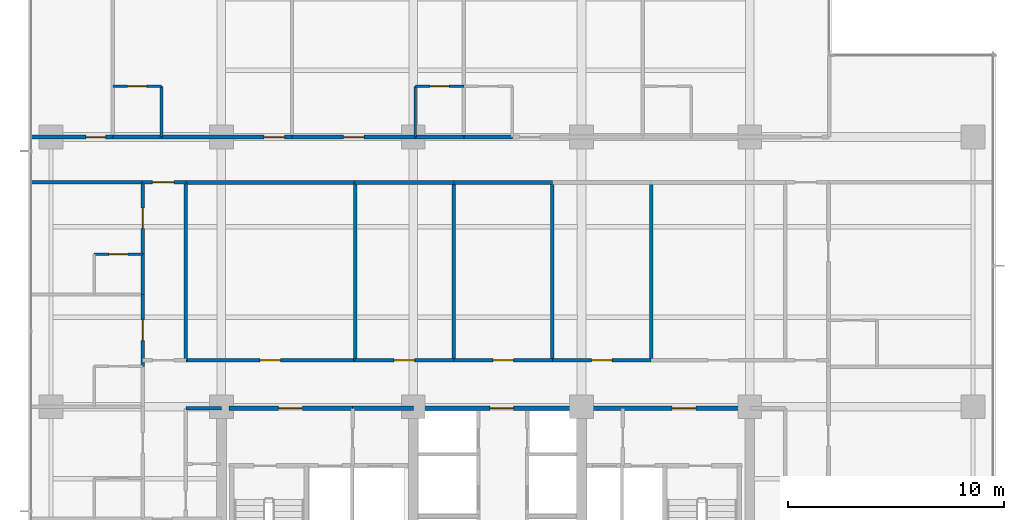
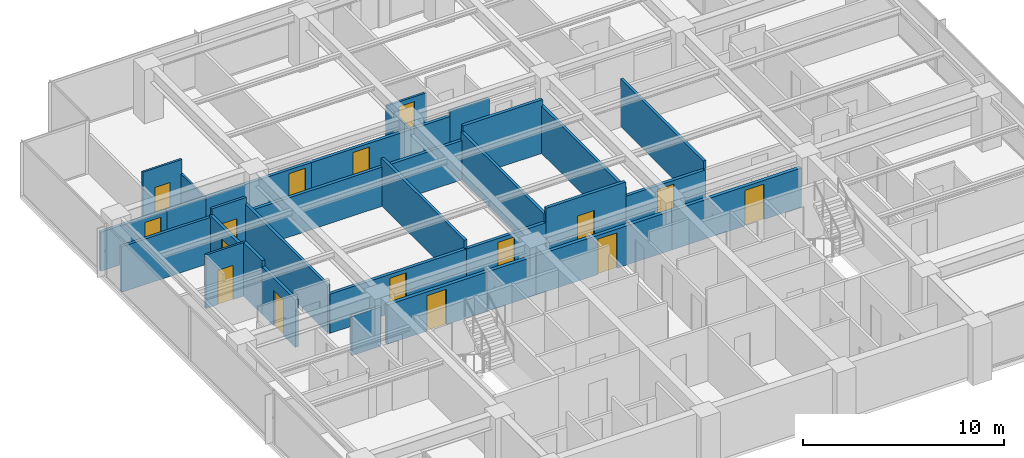
# One storey, part 9 of 16: 33 walls, 16 doors, 16 openings.
"""IFC4 building model written with IfcOpenShell, lengths in metres."""

from ifc_helpers import new_model, si_unit, direction, frame, frame_2d, origin, place, context, subcontext, project, spatial, rectangle, extrude, material, layer, layer_set, type_object, element, fill, save


model = new_model("IFC4")

# Units and contexts
model_context = context("Model", 3, precision=1e-05, world=origin(), true_north=direction((0.0, 1.0)))
body_context = subcontext(model_context, "Body", "Model", "MODEL_VIEW")
ifc_project = project(units=[si_unit("LENGTHUNIT", "METRE"), si_unit("AREAUNIT", "SQUARE_METRE"), si_unit("VOLUMEUNIT", "CUBIC_METRE"), si_unit("PLANEANGLEUNIT", "RADIAN"), si_unit("MASSUNIT", "GRAM", prefix="KILO")], contexts=[model_context])

# Site, building, storey
site_placement = place(None, origin())
site = spatial("IfcSite", under=ifc_project, at=site_placement, CompositionType="ELEMENT")
building_placement = place(site_placement, origin())
building = spatial("IfcBuilding", under=site, at=building_placement, Name="Qalmaran Belvedere Hotel", CompositionType="ELEMENT")
storey_placement = place(building_placement, frame((0.0, 0.0, 145.60009765625)))
storey = spatial("IfcBuildingStorey", under=building, at=storey_placement, Name="L36", CompositionType="ELEMENT", Elevation=145.60009765625)

# Wall, opening, door
ifc_material_1 = material(Name="Moisture-Resistant Gypsum")
ifc_layer_1 = layer(ifc_material_1, 0.1201171875, Name="Moisture-Resistant Gypsum")
ifc_layer_set_1 = layer_set([ifc_layer_1], Name="Moisture-Resistant Gypsum")
wall_type_1 = type_object("IfcWallType", Name="WL-INT-120-BATH", PredefinedType="PARTITIONING", material=ifc_layer_set_1)
wall_1_placement = place(storey_placement, frame((15.27001953125, 35.35009765625, 0.0), z_axis=(0.0, 0.0, 1.0), x_axis=(1.0, 0.0, 0.0)))
wall_1 = element("IfcWall", 1, at=wall_1_placement, inside=storey, type_object=wall_type_1, Name="L36 Partition WL-L36-NBN00", PredefinedType="PARTITIONING", context=body_context, shape_type="SweptSolid", body=[
    extrude(rectangle(XDim=2.25, YDim=0.1201171875, at=frame_2d((1.125, 0.0))), origin(), (0.0, 0.0, 1.0), 3.25),
])
opening_1_placement = place(wall_1_placement, frame((1.56494140625, 0.0, 0.0), z_axis=(0.0, 0.0, 1.0), x_axis=(-1.0, 0.0, 0.0)))
opening_1 = element("IfcOpeningElement", 2, at=opening_1_placement, cuts=wall_1, Name="Opening D-BATH", PredefinedType="OPENING", context=body_context, shape_type="SweptSolid", body=[
    extrude(rectangle(XDim=0.8798828125, YDim=2.080078125, at=frame_2d((0.43994140625, 1.0400390625))), frame((0.0, 0.070068359375, 0.0), z_axis=(0.0, -1.0, 0.0), x_axis=(1.0, 0.0, 0.0)), (0.0, 0.0, 1.0), 0.14013671875),
])
ifc_material_2 = material(Name="Engineered Oak Veneer")
door_type_1 = type_object("IfcDoorType", Name="DR-INT-BATH-880X2080", OperationType="NOTDEFINED", PredefinedType="DOOR", material=ifc_material_2)
door_1_placement = place(opening_1_placement, origin())
door_1 = element("IfcDoor", 3, at=door_1_placement, inside=storey, type_object=door_type_1, Name="L36 Ensuite Bathroom Door N01", OperationType="SINGLE_SWING_LEFT", OverallHeight=2.080078125, OverallWidth=0.8798828125, PredefinedType="DOOR", context=body_context, shape_type="SweptSolid", body=[
    extrude(rectangle(XDim=0.8798828125, YDim=2.080078125, at=frame_2d((0.43994140625, 1.0400390625))), frame((0.0, 0.02490234375, 0.0), z_axis=(0.0, -1.0, 0.0), x_axis=(1.0, 0.0, 0.0)), (0.0, 0.0, 1.0), 0.050048828125),
])
fill(opening_1, door_1)

# Wall
wall_2_placement = place(storey_placement, frame((17.52001953125, 33.0, 0.0), z_axis=(0.0, 0.0, 1.0), x_axis=(0.0, 1.0, 0.0)))
element("IfcWall", 4, at=wall_2_placement, inside=storey, type_object=wall_type_1, Name="L36 Partition WL-L36-NBS00", PredefinedType="PARTITIONING", context=body_context, shape_type="SweptSolid", body=[
    extrude(rectangle(XDim=2.35009765625, YDim=0.1201171875, at=frame_2d((1.175048828125, 0.0))), origin(), (0.0, 0.0, 1.0), 2.3798828125),
])

# Wall, opening, door
wall_3_placement = place(storey_placement, frame((29.29296875, 35.35009765625, 0.0), z_axis=(0.0, 0.0, 1.0), x_axis=(1.0, 0.0, 0.0)))
wall_3 = element("IfcWall", 5, at=wall_3_placement, inside=storey, type_object=wall_type_1, Name="L36 Partition WL-L36-NBN01", PredefinedType="PARTITIONING", context=body_context, shape_type="SweptSolid", body=[
    extrude(rectangle(XDim=2.25, YDim=0.1201171875, at=frame_2d((1.125, 0.0))), origin(), (0.0, 0.0, 1.0), 2.3798828125),
])
opening_2_placement = place(wall_3_placement, frame((1.56494140625, 0.0, 0.0), z_axis=(0.0, 0.0, 1.0), x_axis=(-1.0, 0.0, 0.0)))
opening_2 = element("IfcOpeningElement", 6, at=opening_2_placement, cuts=wall_3, Name="Opening D-BATH", PredefinedType="OPENING", context=body_context, shape_type="SweptSolid", body=[
    extrude(rectangle(XDim=0.8798828125, YDim=2.080078125, at=frame_2d((0.43994140625, 1.0400390625))), frame((0.0, 0.070068359375, 0.0), z_axis=(0.0, -1.0, 0.0), x_axis=(1.0, 0.0, 0.0)), (0.0, 0.0, 1.0), 0.14013671875),
])
door_2_placement = place(opening_2_placement, origin())
door_2 = element("IfcDoor", 7, at=door_2_placement, inside=storey, type_object=door_type_1, Name="L36 Ensuite Bathroom Door N02", OperationType="SINGLE_SWING_LEFT", OverallHeight=2.080078125, OverallWidth=0.8798828125, PredefinedType="DOOR", context=body_context, shape_type="SweptSolid", body=[
    extrude(rectangle(XDim=0.8798828125, YDim=2.080078125, at=frame_2d((0.43994140625, 1.0400390625))), frame((0.0, 0.02490234375, 0.0), z_axis=(0.0, -1.0, 0.0), x_axis=(1.0, 0.0, 0.0)), (0.0, 0.0, 1.0), 0.050048828125),
])
fill(opening_2, door_2)

# Wall
wall_4_placement = place(storey_placement, frame((29.29296875, 33.0, 0.0), z_axis=(0.0, 0.0, 1.0), x_axis=(0.0, 1.0, 0.0)))
element("IfcWall", 8, at=wall_4_placement, inside=storey, type_object=wall_type_1, Name="L36 Partition WL-L36-NBS01", PredefinedType="PARTITIONING", context=body_context, shape_type="SweptSolid", body=[
    extrude(rectangle(XDim=2.35009765625, YDim=0.1201171875, at=frame_2d((1.175048828125, 0.0))), origin(), (0.0, 0.0, 1.0), 2.3798828125),
])

# Wall, opening, door
wall_5_placement = place(storey_placement, frame((14.39990234375, 27.570068359375, 0.0), z_axis=(0.0, 0.0, 1.0), x_axis=(1.0, 0.0, 0.0)))
wall_5 = element("IfcWall", 9, at=wall_5_placement, inside=storey, type_object=wall_type_1, Name="L36 Partition WL-L36-WBN02", PredefinedType="PARTITIONING", context=body_context, shape_type="SweptSolid", body=[
    extrude(rectangle(XDim=2.25, YDim=0.1201171875, at=frame_2d((1.125, 0.0))), origin(), (0.0, 0.0, 1.0), 3.25),
])
opening_3_placement = place(wall_5_placement, frame((1.56494140625, 0.0, 0.0), z_axis=(0.0, 0.0, 1.0), x_axis=(-1.0, 0.0, 0.0)))
opening_3 = element("IfcOpeningElement", 10, at=opening_3_placement, cuts=wall_5, Name="Opening D-BATH", PredefinedType="OPENING", context=body_context, shape_type="SweptSolid", body=[
    extrude(rectangle(XDim=0.8798828125, YDim=2.080078125, at=frame_2d((0.43994140625, 1.0400390625))), frame((0.0, 0.070068359375, 0.0), z_axis=(0.0, -1.0, 0.0), x_axis=(1.0, 0.0, 0.0)), (0.0, 0.0, 1.0), 0.14013671875),
])
door_3_placement = place(opening_3_placement, origin())
door_3 = element("IfcDoor", 11, at=door_3_placement, inside=storey, type_object=door_type_1, Name="L36 W Ensuite Door 03", OperationType="SINGLE_SWING_LEFT", OverallHeight=2.080078125, OverallWidth=0.8798828125, PredefinedType="DOOR", context=body_context, shape_type="SweptSolid", body=[
    extrude(rectangle(XDim=0.8798828125, YDim=2.080078125, at=frame_2d((0.43994140625, 1.0400390625))), frame((0.0, 0.02490234375, 0.0), z_axis=(0.0, -1.0, 0.0), x_axis=(1.0, 0.0, 0.0)), (0.0, 0.0, 1.0), 0.050048828125),
])
fill(opening_3, door_3)

ifc_material_3 = material(Name="Gypsum Stud Partition")
ifc_layer_2 = layer(ifc_material_3, 0.14990234375, Name="Gypsum Stud Partition")
ifc_layer_set_2 = layer_set([ifc_layer_2], Name="Gypsum Stud Partition")
wall_type_2 = type_object("IfcWallType", Name="WL-INT-150-EI60", PredefinedType="PARTITIONING", material=ifc_layer_set_2)
wall_6_placement = place(storey_placement, frame((16.64990234375, 30.89990234375, 0.0), z_axis=(0.0, 0.0, 1.0), x_axis=(1.0, 0.0, 0.0)))
wall_6 = element("IfcWall", 12, at=wall_6_placement, inside=storey, type_object=wall_type_2, Name="L36 Partition WL-L36-XCW2", PredefinedType="PARTITIONING", context=body_context, shape_type="SweptSolid", body=[
    extrude(rectangle(XDim=2.0, YDim=0.14990234375, at=frame_2d((1.0, 0.0))), origin(), (0.0, 0.0, 1.0), 3.25),
])
opening_4_placement = place(wall_6_placement, frame((0.449951171875, 0.0, 0.0)))
opening_4 = element("IfcOpeningElement", 13, at=opening_4_placement, cuts=wall_6, Name="Opening FD90B", PredefinedType="OPENING", context=body_context, shape_type="SweptSolid", body=[
    extrude(rectangle(XDim=1.0, YDim=2.14990234375, at=frame_2d((0.5, 1.074951171875))), frame((0.0, 0.0849609375, 0.0), z_axis=(0.0, -1.0, 0.0), x_axis=(1.0, 0.0, 0.0)), (0.0, 0.0, 1.0), 0.169921875),
])
ifc_material_4 = material(Name="Steel S355JR", Category="steel")
door_type_2 = type_object("IfcDoorType", Name="DR-FD90B-1000X2150", OperationType="NOTDEFINED", PredefinedType="DOOR", material=ifc_material_4)
door_4_placement = place(opening_4_placement, origin())
door_4 = element("IfcDoor", 14, at=door_4_placement, inside=storey, type_object=door_type_2, Name="L36 West Corridor Smoke Door N", OperationType="SINGLE_SWING_LEFT", OverallHeight=2.14990234375, OverallWidth=1.0, PredefinedType="DOOR", context=body_context, shape_type="SweptSolid", body=[
    extrude(rectangle(XDim=1.0, YDim=2.14990234375, at=frame_2d((0.5, 1.074951171875))), frame((0.0, 0.02490234375, 0.0), z_axis=(0.0, -1.0, 0.0), x_axis=(1.0, 0.0, 0.0)), (0.0, 0.0, 1.0), 0.050048828125),
])
fill(opening_4, door_4)

# Walls
ifc_layer_3 = layer(ifc_material_3, 0.159912109375, Name="Gypsum Stud Partition")
ifc_layer_set_3 = layer_set([ifc_layer_3], Name="Gypsum Stud Partition")
wall_type_3 = type_object("IfcWallType", Name="WL-INT-160-EI60", PredefinedType="PARTITIONING", material=ifc_layer_set_3)
wall_7_placement = place(storey_placement, frame((18.64990234375, 20.419921875, 0.0), z_axis=(0.0, 0.0, 1.0), x_axis=(1.0, 0.0, 0.0)))
element("IfcWall", 15, at=wall_7_placement, inside=storey, type_object=wall_type_3, Name="L36 Partition WL-L36-WCLN", PredefinedType="PARTITIONING", context=body_context, shape_type="SweptSolid", body=[
    extrude(rectangle(XDim=1.650146484375, YDim=0.159912109375, at=frame_2d((0.8251953125, 0.0))), origin(), (0.0, 0.0, 1.0), 2.3798828125),
])
for number, where, z_axis, x_axis, name in (
    (16, (18.64990234375, 22.64990234375, 0.0), (0.0, 0.0, 1.0), (0.0, 1.0, 0.0), "L36 Partition WL-L36-MIDVL"),
    (17, (26.5, 22.64990234375, 0.0), (0.0, 0.0, 1.0), (0.0, 1.0, 0.0), "L36 Partition WL-L36-MIDVR1"),
    (18, (31.074951171875, 22.64990234375, 0.0), (0.0, 0.0, 1.0), (0.0, 1.0, 0.0), "L36 Partition WL-L36-MIDVR2"),
    (19, (35.64990234375, 22.64990234375, 0.0), (0.0, 0.0, 1.0), (0.0, 1.0, 0.0), "L36 Partition WL-L36-MIDVR3"),
    (20, (40.22509765625, 22.64990234375, 0.0), (0.0, 0.0, 1.0), (0.0, 1.0, 0.0), "L36 Partition WL-L36-MIDVR4"),
):
    element("IfcWall", number, at=place(storey_placement, frame(where, z_axis=z_axis, x_axis=x_axis)), inside=storey, type_object=wall_type_3, Name=name, PredefinedType="PARTITIONING", context=body_context, shape_type="SweptSolid", body=[
        extrude(rectangle(XDim=8.25, YDim=0.159912109375, at=frame_2d((4.125, 0.0))), origin(), (0.0, 0.0, 1.0), 2.880859375),
    ])
wall_8_placement = place(storey_placement, frame((11.469970703125, 30.89990234375, 0.0), z_axis=(0.0, 0.0, 1.0), x_axis=(1.0, 0.0, 0.0)))
element("IfcWall", 21, at=wall_8_placement, inside=storey, type_object=wall_type_3, Name="L36 Partition WL-L36-WU02", PredefinedType="PARTITIONING", context=body_context, shape_type="SweptSolid", body=[
    extrude(rectangle(XDim=5.179931640625, YDim=0.159912109375, at=frame_2d((2.58984375, 0.0))), origin(), (0.0, 0.0, 1.0), 2.77197265625),
])

# Wall, opening, door
ifc_layer_4 = layer(ifc_material_3, 0.179931640625, Name="Gypsum Stud Partition")
ifc_layer_set_4 = layer_set([ifc_layer_4], Name="Gypsum Stud Partition")
wall_type_4 = type_object("IfcWallType", Name="WL-INT-180-EI60", PredefinedType="PARTITIONING", material=ifc_layer_set_4)
wall_9_placement = place(storey_placement, frame((18.64990234375, 22.64990234375, 0.0), z_axis=(0.0, 0.0, 1.0), x_axis=(1.0, 0.0, 0.0)))
wall_9 = element("IfcWall", 22, at=wall_9_placement, inside=storey, type_object=wall_type_4, Name="L36 Partition WL-L36-MIDD1", PredefinedType="PARTITIONING", context=body_context, shape_type="SweptSolid", body=[
    extrude(rectangle(XDim=7.85009765625, YDim=0.179931640625, at=frame_2d((3.925048828125, 0.0))), origin(), (0.0, 0.0, 1.0), 2.3798828125),
])
opening_5_placement = place(wall_9_placement, frame((3.449951171875, 0.0, 0.0)))
opening_5 = element("IfcOpeningElement", 23, at=opening_5_placement, cuts=wall_9, Name="Opening FD60", PredefinedType="OPENING", context=body_context, shape_type="SweptSolid", body=[
    extrude(rectangle(XDim=0.949951171875, YDim=2.14990234375, at=frame_2d((0.47509765625, 1.074951171875))), frame((0.0, 0.10009765625, 0.0), z_axis=(0.0, -1.0, 0.0), x_axis=(1.0, 0.0, 0.0)), (0.0, 0.0, 1.0), 0.199951171875),
])
door_type_3 = type_object("IfcDoorType", Name="DR-FD60-950X2150", OperationType="NOTDEFINED", PredefinedType="DOOR", material=ifc_material_2)
door_5_placement = place(opening_5_placement, origin())
door_5 = element("IfcDoor", 24, at=door_5_placement, inside=storey, type_object=door_type_3, Name="L36 Housekeeping and Linen Room Door", OperationType="SINGLE_SWING_RIGHT", OverallHeight=2.14990234375, OverallWidth=0.949951171875, PredefinedType="DOOR", context=body_context, shape_type="SweptSolid", body=[
    extrude(rectangle(XDim=0.949951171875, YDim=2.14990234375, at=frame_2d((0.47509765625, 1.074951171875))), frame((0.0, 0.02490234375, 0.0), z_axis=(0.0, -1.0, 0.0), x_axis=(1.0, 0.0, 0.0)), (0.0, 0.0, 1.0), 0.050048828125),
])
fill(opening_5, door_5)

# Wall
wall_10_placement = place(storey_placement, frame((18.64990234375, 30.89990234375, 0.0), z_axis=(0.0, 0.0, 1.0), x_axis=(1.0, 0.0, 0.0)))
element("IfcWall", 25, at=wall_10_placement, inside=storey, type_object=wall_type_4, Name="L36 Partition WL-L36-MIDO1", PredefinedType="PARTITIONING", context=body_context, shape_type="SweptSolid", body=[
    extrude(rectangle(XDim=7.85009765625, YDim=0.179931640625, at=frame_2d((3.925048828125, 0.0))), origin(), (0.0, 0.0, 1.0), 2.3798828125),
])

# Wall, opening, door
wall_11_placement = place(storey_placement, frame((26.5, 22.64990234375, 0.0), z_axis=(0.0, 0.0, 1.0), x_axis=(1.0, 0.0, 0.0)))
wall_11 = element("IfcWall", 26, at=wall_11_placement, inside=storey, type_object=wall_type_4, Name="L36 Partition WL-L36-MIDD2", PredefinedType="PARTITIONING", context=body_context, shape_type="SweptSolid", body=[
    extrude(rectangle(XDim=4.574951171875, YDim=0.179931640625, at=frame_2d((2.28759765625, 0.0))), origin(), (0.0, 0.0, 1.0), 2.3798828125),
])
opening_6_placement = place(wall_11_placement, frame((1.8125, 0.0, 0.0)))
opening_6 = element("IfcOpeningElement", 27, at=opening_6_placement, cuts=wall_11, Name="Opening FD60", PredefinedType="OPENING", context=body_context, shape_type="SweptSolid", body=[
    extrude(rectangle(XDim=0.949951171875, YDim=2.14990234375, at=frame_2d((0.47509765625, 1.074951171875))), frame((0.0, 0.10009765625, 0.0), z_axis=(0.0, -1.0, 0.0), x_axis=(1.0, 0.0, 0.0)), (0.0, 0.0, 1.0), 0.199951171875),
])
door_6_placement = place(opening_6_placement, origin())
door_6 = element("IfcDoor", 28, at=door_6_placement, inside=storey, type_object=door_type_3, Name="L36 Club Lounge Door", OperationType="SINGLE_SWING_LEFT", OverallHeight=2.14990234375, OverallWidth=0.949951171875, PredefinedType="DOOR", context=body_context, shape_type="SweptSolid", body=[
    extrude(rectangle(XDim=0.949951171875, YDim=2.14990234375, at=frame_2d((0.47509765625, 1.074951171875))), frame((0.0, 0.02490234375, 0.0), z_axis=(0.0, -1.0, 0.0), x_axis=(1.0, 0.0, 0.0)), (0.0, 0.0, 1.0), 0.050048828125),
])
fill(opening_6, door_6)

# Wall
wall_12_placement = place(storey_placement, frame((26.5, 30.89990234375, 0.0), z_axis=(0.0, 0.0, 1.0), x_axis=(1.0, 0.0, 0.0)))
element("IfcWall", 29, at=wall_12_placement, inside=storey, type_object=wall_type_4, Name="L36 Partition WL-L36-MIDO2", PredefinedType="PARTITIONING", context=body_context, shape_type="SweptSolid", body=[
    extrude(rectangle(XDim=4.574951171875, YDim=0.179931640625, at=frame_2d((2.28759765625, 0.0))), origin(), (0.0, 0.0, 1.0), 2.3798828125),
])

# Wall, opening, door
wall_13_placement = place(storey_placement, frame((31.074951171875, 22.64990234375, 0.0), z_axis=(0.0, 0.0, 1.0), x_axis=(1.0, 0.0, 0.0)))
wall_13 = element("IfcWall", 30, at=wall_13_placement, inside=storey, type_object=wall_type_4, Name="L36 Partition WL-L36-MIDD3", PredefinedType="PARTITIONING", context=body_context, shape_type="SweptSolid", body=[
    extrude(rectangle(XDim=4.574951171875, YDim=0.179931640625, at=frame_2d((2.28759765625, 0.0))), origin(), (0.0, 0.0, 1.0), 3.25),
])
opening_7_placement = place(wall_13_placement, frame((1.8125, 0.0, 0.0)))
opening_7 = element("IfcOpeningElement", 31, at=opening_7_placement, cuts=wall_13, Name="Opening FD60", PredefinedType="OPENING", context=body_context, shape_type="SweptSolid", body=[
    extrude(rectangle(XDim=0.949951171875, YDim=2.14990234375, at=frame_2d((0.47509765625, 1.074951171875))), frame((0.0, 0.10009765625, 0.0), z_axis=(0.0, -1.0, 0.0), x_axis=(1.0, 0.0, 0.0)), (0.0, 0.0, 1.0), 0.199951171875),
])
door_7_placement = place(opening_7_placement, origin())
door_7 = element("IfcDoor", 32, at=door_7_placement, inside=storey, type_object=door_type_3, Name="L36 Reading Lounge Door", OperationType="SINGLE_SWING_RIGHT", OverallHeight=2.14990234375, OverallWidth=0.949951171875, PredefinedType="DOOR", context=body_context, shape_type="SweptSolid", body=[
    extrude(rectangle(XDim=0.949951171875, YDim=2.14990234375, at=frame_2d((0.47509765625, 1.074951171875))), frame((0.0, 0.02490234375, 0.0), z_axis=(0.0, -1.0, 0.0), x_axis=(1.0, 0.0, 0.0)), (0.0, 0.0, 1.0), 0.050048828125),
])
fill(opening_7, door_7)

# Wall
wall_14_placement = place(storey_placement, frame((31.074951171875, 30.89990234375, 0.0), z_axis=(0.0, 0.0, 1.0), x_axis=(1.0, 0.0, 0.0)))
element("IfcWall", 33, at=wall_14_placement, inside=storey, type_object=wall_type_4, Name="L36 Partition WL-L36-MIDO3", PredefinedType="PARTITIONING", context=body_context, shape_type="SweptSolid", body=[
    extrude(rectangle(XDim=4.574951171875, YDim=0.179931640625, at=frame_2d((2.28759765625, 0.0))), origin(), (0.0, 0.0, 1.0), 3.25),
])

# Wall, opening, door
wall_15_placement = place(storey_placement, frame((35.64990234375, 22.64990234375, 0.0), z_axis=(0.0, 0.0, 1.0), x_axis=(1.0, 0.0, 0.0)))
wall_15 = element("IfcWall", 34, at=wall_15_placement, inside=storey, type_object=wall_type_4, Name="L36 Partition WL-L36-MIDD4", PredefinedType="PARTITIONING", context=body_context, shape_type="SweptSolid", body=[
    extrude(rectangle(XDim=4.5751953125, YDim=0.179931640625, at=frame_2d((2.28759765625, 0.0))), origin(), (0.0, 0.0, 1.0), 2.3798828125),
])
opening_8_placement = place(wall_15_placement, frame((1.8125, 0.0, 0.0)))
opening_8 = element("IfcOpeningElement", 35, at=opening_8_placement, cuts=wall_15, Name="Opening FD60", PredefinedType="OPENING", context=body_context, shape_type="SweptSolid", body=[
    extrude(rectangle(XDim=0.949951171875, YDim=2.14990234375, at=frame_2d((0.47509765625, 1.074951171875))), frame((0.0, 0.10009765625, 0.0), z_axis=(0.0, -1.0, 0.0), x_axis=(1.0, 0.0, 0.0)), (0.0, 0.0, 1.0), 0.199951171875),
])
door_8_placement = place(opening_8_placement, origin())
door_8 = element("IfcDoor", 36, at=door_8_placement, inside=storey, type_object=door_type_3, Name="L36 Tea Lounge Door", OperationType="SINGLE_SWING_LEFT", OverallHeight=2.14990234375, OverallWidth=0.949951171875, PredefinedType="DOOR", context=body_context, shape_type="SweptSolid", body=[
    extrude(rectangle(XDim=0.949951171875, YDim=2.14990234375, at=frame_2d((0.47509765625, 1.074951171875))), frame((0.0, 0.02490234375, 0.0), z_axis=(0.0, -1.0, 0.0), x_axis=(1.0, 0.0, 0.0)), (0.0, 0.0, 1.0), 0.050048828125),
])
fill(opening_8, door_8)

# Wall
wall_16_placement = place(storey_placement, frame((15.27001953125, 33.0, 0.0), z_axis=(0.0, 0.0, 1.0), x_axis=(1.0, 0.0, 0.0)))
element("IfcWall", 37, at=wall_16_placement, inside=storey, type_object=wall_type_4, Name="L36 Partition WL-L36-NBC00", PredefinedType="PARTITIONING", context=body_context, shape_type="SweptSolid", body=[
    extrude(rectangle(XDim=2.25, YDim=0.179931640625, at=frame_2d((1.125, 0.0))), origin(), (0.0, 0.0, 1.0), 2.3798828125),
])

# Wall, opening, door
wall_17_placement = place(storey_placement, frame((17.52001953125, 33.0, 0.0), z_axis=(0.0, 0.0, 1.0), x_axis=(1.0, 0.0, 0.0)))
wall_17 = element("IfcWall", 38, at=wall_17_placement, inside=storey, type_object=wall_type_4, Name="L36 Partition WL-L36-NEC00", PredefinedType="PARTITIONING", context=body_context, shape_type="SweptSolid", body=[
    extrude(rectangle(XDim=6.052490234375, YDim=0.179931640625, at=frame_2d((3.0263671875, 0.0))), origin(), (0.0, 0.0, 1.0), 2.3798828125),
])
opening_9_placement = place(wall_17_placement, frame((4.762939453125, 0.0, 0.0)))
opening_9 = element("IfcOpeningElement", 39, at=opening_9_placement, cuts=wall_17, Name="Opening FD60", PredefinedType="OPENING", context=body_context, shape_type="SweptSolid", body=[
    extrude(rectangle(XDim=0.949951171875, YDim=2.14990234375, at=frame_2d((0.47509765625, 1.074951171875))), frame((0.0, 0.10009765625, 0.0), z_axis=(0.0, -1.0, 0.0), x_axis=(1.0, 0.0, 0.0)), (0.0, 0.0, 1.0), 0.199951171875),
])
door_9_placement = place(opening_9_placement, origin())
door_9 = element("IfcDoor", 40, at=door_9_placement, inside=storey, type_object=door_type_3, Name="L36 Guest Entrance Door N01", OperationType="SINGLE_SWING_RIGHT", OverallHeight=2.14990234375, OverallWidth=0.949951171875, PredefinedType="DOOR", context=body_context, shape_type="SweptSolid", body=[
    extrude(rectangle(XDim=0.949951171875, YDim=2.14990234375, at=frame_2d((0.47509765625, 1.074951171875))), frame((0.0, 0.02490234375, 0.0), z_axis=(0.0, -1.0, 0.0), x_axis=(1.0, 0.0, 0.0)), (0.0, 0.0, 1.0), 0.050048828125),
])
fill(opening_9, door_9)

# Wall
wall_18_placement = place(storey_placement, frame((29.29296875, 33.0, 0.0), z_axis=(0.0, 0.0, 1.0), x_axis=(1.0, 0.0, 0.0)))
element("IfcWall", 41, at=wall_18_placement, inside=storey, type_object=wall_type_4, Name="L36 Partition WL-L36-NBC01", PredefinedType="PARTITIONING", context=body_context, shape_type="SweptSolid", body=[
    extrude(rectangle(XDim=2.25, YDim=0.179931640625, at=frame_2d((1.125, 0.0))), origin(), (0.0, 0.0, 1.0), 2.3798828125),
])

# Wall, opening, door
wall_19_placement = place(storey_placement, frame((23.572509765625, 33.0, 0.0), z_axis=(0.0, 0.0, 1.0), x_axis=(1.0, 0.0, 0.0)))
wall_19 = element("IfcWall", 42, at=wall_19_placement, inside=storey, type_object=wall_type_4, Name="L36 Partition WL-L36-NEC01", PredefinedType="PARTITIONING", context=body_context, shape_type="SweptSolid", body=[
    extrude(rectangle(XDim=5.720458984375, YDim=0.179931640625, at=frame_2d((2.8603515625, 0.0))), origin(), (0.0, 0.0, 1.0), 2.3798828125),
])
opening_10_placement = place(wall_19_placement, frame((2.38525390625, 0.0, 0.0)))
opening_10 = element("IfcOpeningElement", 43, at=opening_10_placement, cuts=wall_19, Name="Opening FD60", PredefinedType="OPENING", context=body_context, shape_type="SweptSolid", body=[
    extrude(rectangle(XDim=0.949951171875, YDim=2.14990234375, at=frame_2d((0.47509765625, 1.074951171875))), frame((0.0, 0.10009765625, 0.0), z_axis=(0.0, -1.0, 0.0), x_axis=(1.0, 0.0, 0.0)), (0.0, 0.0, 1.0), 0.199951171875),
])
door_10_placement = place(opening_10_placement, origin())
door_10 = element("IfcDoor", 44, at=door_10_placement, inside=storey, type_object=door_type_3, Name="L36 Guest Entrance Door N02", OperationType="SINGLE_SWING_RIGHT", OverallHeight=2.14990234375, OverallWidth=0.949951171875, PredefinedType="DOOR", context=body_context, shape_type="SweptSolid", body=[
    extrude(rectangle(XDim=0.949951171875, YDim=2.14990234375, at=frame_2d((0.47509765625, 1.074951171875))), frame((0.0, 0.02490234375, 0.0), z_axis=(0.0, -1.0, 0.0), x_axis=(1.0, 0.0, 0.0)), (0.0, 0.0, 1.0), 0.050048828125),
])
fill(opening_10, door_10)

# Wall
wall_20_placement = place(storey_placement, frame((31.54296875, 33.0, 0.0), z_axis=(0.0, 0.0, 1.0), x_axis=(1.0, 0.0, 0.0)))
element("IfcWall", 45, at=wall_20_placement, inside=storey, type_object=wall_type_4, Name="L36 Partition WL-L36-NBC02", PredefinedType="PARTITIONING", context=body_context, shape_type="SweptSolid", body=[
    extrude(rectangle(XDim=2.25, YDim=0.179931640625, at=frame_2d((1.125, 0.0))), origin(), (0.0, 0.0, 1.0), 2.69189453125),
])

# Wall, opening, door
wall_21_placement = place(storey_placement, frame((16.64990234375, 22.3701171875, 0.0), z_axis=(0.0, 0.0, 1.0), x_axis=(0.0, 1.0, 0.0)))
wall_21 = element("IfcWall", 46, at=wall_21_placement, inside=storey, type_object=wall_type_4, Name="L36 Partition WL-L36-WEC01", PredefinedType="PARTITIONING", context=body_context, shape_type="SweptSolid", body=[
    extrude(rectangle(XDim=3.329833984375, YDim=0.179931640625, at=frame_2d((1.6650390625, 0.0))), origin(), (0.0, 0.0, 1.0), 2.880859375),
])
opening_11_placement = place(wall_21_placement, frame((1.18994140625, 0.0, 0.0)))
opening_11 = element("IfcOpeningElement", 47, at=opening_11_placement, cuts=wall_21, Name="Opening FD60", PredefinedType="OPENING", context=body_context, shape_type="SweptSolid", body=[
    extrude(rectangle(XDim=0.949951171875, YDim=2.14990234375, at=frame_2d((0.47509765625, 1.074951171875))), frame((0.0, 0.10009765625, 0.0), z_axis=(0.0, -1.0, 0.0), x_axis=(1.0, 0.0, 0.0)), (0.0, 0.0, 1.0), 0.199951171875),
])
door_11_placement = place(opening_11_placement, origin())
door_11 = element("IfcDoor", 48, at=door_11_placement, inside=storey, type_object=door_type_3, Name="L36 W Wing Door 02", OperationType="SINGLE_SWING_RIGHT", OverallHeight=2.14990234375, OverallWidth=0.949951171875, PredefinedType="DOOR", context=body_context, shape_type="SweptSolid", body=[
    extrude(rectangle(XDim=0.949951171875, YDim=2.14990234375, at=frame_2d((0.47509765625, 1.074951171875))), frame((0.0, 0.02490234375, 0.0), z_axis=(0.0, -1.0, 0.0), x_axis=(1.0, 0.0, 0.0)), (0.0, 0.0, 1.0), 0.050048828125),
])
fill(opening_11, door_11)

# Wall
wall_22_placement = place(storey_placement, frame((16.64990234375, 25.699951171875, 0.0), z_axis=(0.0, 0.0, 1.0), x_axis=(0.0, 1.0, 0.0)))
element("IfcWall", 49, at=wall_22_placement, inside=storey, type_object=wall_type_4, Name="L36 Partition WL-L36-WBC02", PredefinedType="PARTITIONING", context=body_context, shape_type="SweptSolid", body=[
    extrude(rectangle(XDim=1.8701171875, YDim=0.179931640625, at=frame_2d((0.93505859375, 0.0))), origin(), (0.0, 0.0, 1.0), 3.25),
])

# Wall, opening, door
wall_23_placement = place(storey_placement, frame((16.64990234375, 27.570068359375, 0.0), z_axis=(0.0, 0.0, 1.0), x_axis=(0.0, 1.0, 0.0)))
wall_23 = element("IfcWall", 50, at=wall_23_placement, inside=storey, type_object=wall_type_4, Name="L36 Partition WL-L36-WEC02", PredefinedType="PARTITIONING", context=body_context, shape_type="SweptSolid", body=[
    extrude(rectangle(XDim=3.329833984375, YDim=0.179931640625, at=frame_2d((1.6650390625, 0.0))), origin(), (0.0, 0.0, 1.0), 2.880859375),
])
opening_12_placement = place(wall_23_placement, frame((1.18994140625, 0.0, 0.0)))
opening_12 = element("IfcOpeningElement", 51, at=opening_12_placement, cuts=wall_23, Name="Opening FD60", PredefinedType="OPENING", context=body_context, shape_type="SweptSolid", body=[
    extrude(rectangle(XDim=0.949951171875, YDim=2.14990234375, at=frame_2d((0.47509765625, 1.074951171875))), frame((0.0, 0.10009765625, 0.0), z_axis=(0.0, -1.0, 0.0), x_axis=(1.0, 0.0, 0.0)), (0.0, 0.0, 1.0), 0.199951171875),
])
door_12_placement = place(opening_12_placement, origin())
door_12 = element("IfcDoor", 52, at=door_12_placement, inside=storey, type_object=door_type_3, Name="L36 W Wing Door 03", OperationType="SINGLE_SWING_RIGHT", OverallHeight=2.14990234375, OverallWidth=0.949951171875, PredefinedType="DOOR", context=body_context, shape_type="SweptSolid", body=[
    extrude(rectangle(XDim=0.949951171875, YDim=2.14990234375, at=frame_2d((0.47509765625, 1.074951171875))), frame((0.0, 0.02490234375, 0.0), z_axis=(0.0, -1.0, 0.0), x_axis=(1.0, 0.0, 0.0)), (0.0, 0.0, 1.0), 0.050048828125),
])
fill(opening_12, door_12)

wall_24_placement = place(storey_placement, frame((11.469970703125, 33.0, 0.0), z_axis=(0.0, 0.0, 1.0), x_axis=(1.0, 0.0, 0.0)))
wall_24 = element("IfcWall", 53, at=wall_24_placement, inside=storey, type_object=wall_type_4, Name="L36 Partition WL-L36-NWSD", PredefinedType="PARTITIONING", context=body_context, shape_type="SweptSolid", body=[
    extrude(rectangle(XDim=3.800048828125, YDim=0.179931640625, at=frame_2d((1.89990234375, 0.0))), origin(), (0.0, 0.0, 1.0), 2.3798828125),
])
opening_13_placement = place(wall_24_placement, frame((2.543701171875, 0.0, 0.0)))
opening_13 = element("IfcOpeningElement", 54, at=opening_13_placement, cuts=wall_24, Name="Opening FD60S1", PredefinedType="OPENING", context=body_context, shape_type="SweptSolid", body=[
    extrude(rectangle(XDim=0.919921875, YDim=2.080078125, at=frame_2d((0.4599609375, 1.0400390625))), frame((0.0, 0.10009765625, 0.0), z_axis=(0.0, -1.0, 0.0), x_axis=(1.0, 0.0, 0.0)), (0.0, 0.0, 1.0), 0.199951171875),
])
door_type_4 = type_object("IfcDoorType", Name="DR-FD60S-920X2080", OperationType="NOTDEFINED", PredefinedType="DOOR", material=ifc_material_2)
door_13_placement = place(opening_13_placement, origin())
door_13 = element("IfcDoor", 55, at=door_13_placement, inside=storey, type_object=door_type_4, Name="L36 NW Belvedere Study Door", OperationType="SINGLE_SWING_LEFT", OverallHeight=2.080078125, OverallWidth=0.919921875, PredefinedType="DOOR", context=body_context, shape_type="SweptSolid", body=[
    extrude(rectangle(XDim=0.919921875, YDim=2.080078125, at=frame_2d((0.4599609375, 1.0400390625))), frame((0.0, 0.02490234375, 0.0), z_axis=(0.0, -1.0, 0.0), x_axis=(1.0, 0.0, 0.0)), (0.0, 0.0, 1.0), 0.050048828125),
])
fill(opening_13, door_13)

ifc_material_5 = material(Name="Concrete C30/37 Blockwork", Category="masonry")
ifc_layer_5 = layer(ifc_material_5, 0.199951171875, Name="Concrete C30/37 Blockwork")
ifc_layer_set_5 = layer_set([ifc_layer_5], Name="Concrete C30/37 Blockwork")
wall_type_5 = type_object("IfcWallType", Name="WL-INT-200-EI120", PredefinedType="PARTITIONING", material=ifc_layer_set_5)
wall_25_placement = place(storey_placement, frame((20.64990234375, 20.419921875, 0.0), z_axis=(0.0, 0.0, 1.0), x_axis=(1.0, 0.0, 0.0)))
wall_25 = element("IfcWall", 56, at=wall_25_placement, inside=storey, type_object=wall_type_5, Name="L36 Partition WL-CN1A-L36", PredefinedType="PARTITIONING", context=body_context, shape_type="SweptSolid", body=[
    extrude(rectangle(XDim=5.72998046875, YDim=0.199951171875, at=frame_2d((2.864990234375, 0.0))), origin(), (0.0, 0.0, 1.0), 2.3798828125),
])
opening_14_placement = place(wall_25_placement, frame((2.300048828125, 0.0, 0.0)))
opening_14 = element("IfcOpeningElement", 57, at=opening_14_placement, cuts=wall_25, Name="Opening FD90", PredefinedType="OPENING", context=body_context, shape_type="SweptSolid", body=[
    extrude(rectangle(XDim=1.10009765625, YDim=2.14990234375, at=frame_2d((0.550048828125, 1.074951171875))), frame((0.0, 0.10986328125, 0.0), z_axis=(0.0, -1.0, 0.0), x_axis=(1.0, 0.0, 0.0)), (0.0, 0.0, 1.0), 0.219970703125),
])
door_type_5 = type_object("IfcDoorType", Name="DR-FD90-1100X2150", OperationType="NOTDEFINED", PredefinedType="DOOR", material=ifc_material_4)
door_14_placement = place(opening_14_placement, origin())
door_14 = element("IfcDoor", 58, at=door_14_placement, inside=storey, type_object=door_type_5, Name="L36 FF1 Lobby Corridor Door", OperationType="SINGLE_SWING_LEFT", OverallHeight=2.14990234375, OverallWidth=1.10009765625, PredefinedType="DOOR", context=body_context, shape_type="SweptSolid", body=[
    extrude(rectangle(XDim=1.10009765625, YDim=2.14990234375, at=frame_2d((0.550048828125, 1.074951171875))), frame((0.0, 0.02490234375, 0.0), z_axis=(0.0, -1.0, 0.0), x_axis=(1.0, 0.0, 0.0)), (0.0, 0.0, 1.0), 0.050048828125),
])
fill(opening_14, door_14)

# Wall
wall_26_placement = place(storey_placement, frame((26.3798828125, 20.419921875, 0.0), z_axis=(0.0, 0.0, 1.0), x_axis=(1.0, 0.0, 0.0)))
element("IfcWall", 59, at=wall_26_placement, inside=storey, type_object=wall_type_5, Name="L36 Partition WL-CN1B-L36", PredefinedType="PARTITIONING", context=body_context, shape_type="SweptSolid", body=[
    extrude(rectangle(XDim=2.820068359375, YDim=0.199951171875, at=frame_2d((1.41015625, 0.0))), origin(), (0.0, 0.0, 1.0), 2.3798828125),
])

# Wall, opening, door
wall_27_placement = place(storey_placement, frame((29.199951171875, 20.419921875, 0.0), z_axis=(0.0, 0.0, 1.0), x_axis=(1.0, 0.0, 0.0)))
wall_27 = element("IfcWall", 60, at=wall_27_placement, inside=storey, type_object=wall_type_5, Name="L36 Partition WL-CN2-L36", PredefinedType="PARTITIONING", context=body_context, shape_type="SweptSolid", body=[
    extrude(rectangle(XDim=7.800048828125, YDim=0.199951171875, at=frame_2d((3.89990234375, 0.0))), origin(), (0.0, 0.0, 1.0), 2.3798828125),
])
opening_15_placement = place(wall_27_placement, frame((3.550048828125, 0.0, 0.0)))
opening_15 = element("IfcOpeningElement", 61, at=opening_15_placement, cuts=wall_27, Name="Opening FD90", PredefinedType="OPENING", context=body_context, shape_type="SweptSolid", body=[
    extrude(rectangle(XDim=1.10009765625, YDim=2.14990234375, at=frame_2d((0.550048828125, 1.074951171875))), frame((0.0, 0.10986328125, 0.0), z_axis=(0.0, -1.0, 0.0), x_axis=(1.0, 0.0, 0.0)), (0.0, 0.0, 1.0), 0.219970703125),
])
door_15_placement = place(opening_15_placement, origin())
door_15 = element("IfcDoor", 62, at=door_15_placement, inside=storey, type_object=door_type_5, Name="L36 Central Lift Lobby Door", OperationType="SINGLE_SWING_RIGHT", OverallHeight=2.14990234375, OverallWidth=1.10009765625, PredefinedType="DOOR", context=body_context, shape_type="SweptSolid", body=[
    extrude(rectangle(XDim=1.10009765625, YDim=2.14990234375, at=frame_2d((0.550048828125, 1.074951171875))), frame((0.0, 0.02490234375, 0.0), z_axis=(0.0, -1.0, 0.0), x_axis=(1.0, 0.0, 0.0)), (0.0, 0.0, 1.0), 0.050048828125),
])
fill(opening_15, door_15)

wall_28_placement = place(storey_placement, frame((37.0, 20.419921875, 0.0), z_axis=(0.0, 0.0, 1.0), x_axis=(1.0, 0.0, 0.0)))
wall_28 = element("IfcWall", 63, at=wall_28_placement, inside=storey, type_object=wall_type_5, Name="L36 Partition WL-CN3-L36", PredefinedType="PARTITIONING", context=body_context, shape_type="SweptSolid", body=[
    extrude(rectangle(XDim=7.449951171875, YDim=0.199951171875, at=frame_2d((3.72509765625, 0.0))), origin(), (0.0, 0.0, 1.0), 2.3798828125),
])
opening_16_placement = place(wall_28_placement, frame((4.199951171875, 0.0, 0.0)))
opening_16 = element("IfcOpeningElement", 64, at=opening_16_placement, cuts=wall_28, Name="Opening FD90", PredefinedType="OPENING", context=body_context, shape_type="SweptSolid", body=[
    extrude(rectangle(XDim=1.10009765625, YDim=2.14990234375, at=frame_2d((0.550048828125, 1.074951171875))), frame((0.0, 0.10986328125, 0.0), z_axis=(0.0, -1.0, 0.0), x_axis=(1.0, 0.0, 0.0)), (0.0, 0.0, 1.0), 0.219970703125),
])
door_16_placement = place(opening_16_placement, origin())
door_16 = element("IfcDoor", 65, at=door_16_placement, inside=storey, type_object=door_type_5, Name="L36 FF2 Lobby Corridor Door", OperationType="SINGLE_SWING_LEFT", OverallHeight=2.14990234375, OverallWidth=1.10009765625, PredefinedType="DOOR", context=body_context, shape_type="SweptSolid", body=[
    extrude(rectangle(XDim=1.10009765625, YDim=2.14990234375, at=frame_2d((0.550048828125, 1.074951171875))), frame((0.0, 0.02490234375, 0.0), z_axis=(0.0, -1.0, 0.0), x_axis=(1.0, 0.0, 0.0)), (0.0, 0.0, 1.0), 0.050048828125),
])
fill(opening_16, door_16)

save(model, "model.ifc")
